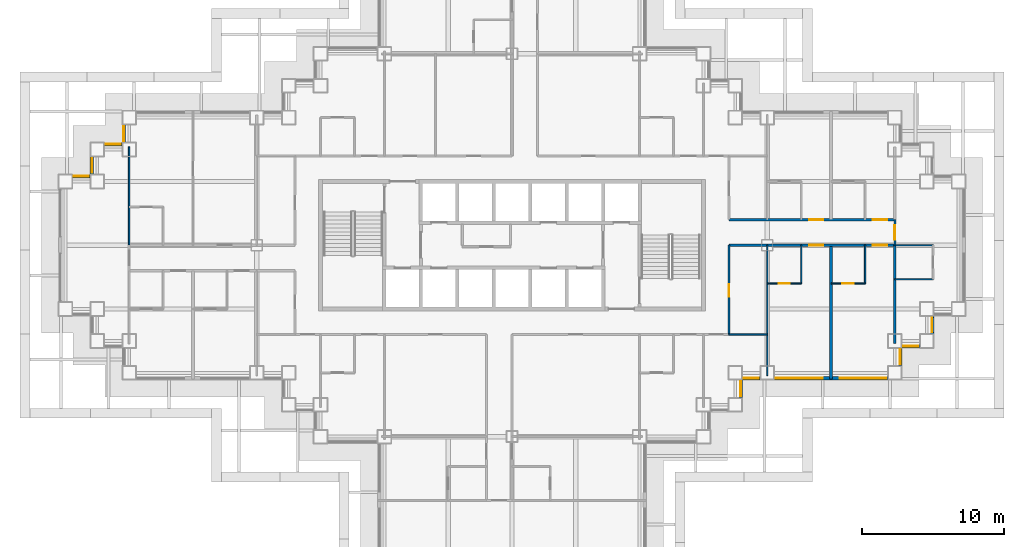
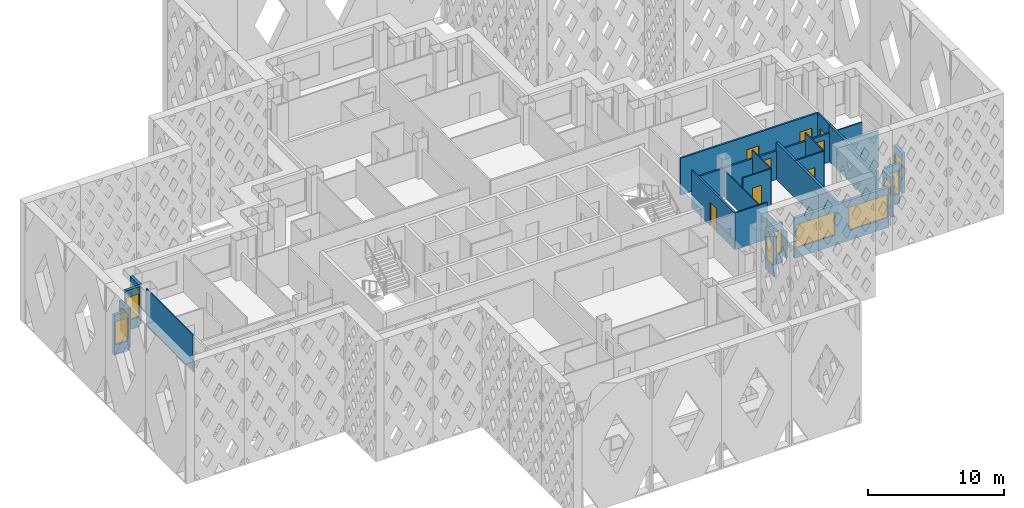
# One storey, part 6 of 19: 25 walls, 11 windows, 8 doors, 19 openings.
"""IFC4 building model written with IfcOpenShell, lengths in metres."""

from ifc_helpers import new_model, si_unit, direction, frame, frame_2d, origin, place, context, subcontext, project, spatial, rectangle, extrude, material, layer, layer_set, type_object, element, fill, save


model = new_model("IFC4")

# Units and contexts
model_context = context("Model", 3, precision=1e-05, world=origin(), true_north=direction((0.0, 1.0)))
body_context = subcontext(model_context, "Body", "Model", "MODEL_VIEW")
ifc_project = project(units=[si_unit("LENGTHUNIT", "METRE"), si_unit("AREAUNIT", "SQUARE_METRE"), si_unit("VOLUMEUNIT", "CUBIC_METRE"), si_unit("PLANEANGLEUNIT", "RADIAN"), si_unit("MASSUNIT", "GRAM", prefix="KILO")], contexts=[model_context])

# Site, building, storey
site_placement = place(None, origin())
site = spatial("IfcSite", under=ifc_project, at=site_placement, CompositionType="ELEMENT")
building_placement = place(site_placement, origin())
building = spatial("IfcBuilding", under=site, at=building_placement, Name="Caravel Reach Hotel and Residences", CompositionType="ELEMENT")
storey_placement = place(building_placement, frame((0.0, 0.0, 74.39990234375)))
storey = spatial("IfcBuildingStorey", under=building, at=storey_placement, Name="L17", CompositionType="ELEMENT", Elevation=74.39990234375)

# Wall, opening, door
ifc_material_1 = material(Name="Gypsum board on steel stud", Category="steel")
ifc_layer_1 = layer(ifc_material_1, 0.10009765625)
ifc_layer_set_1 = layer_set([ifc_layer_1], Name="Bathroom pod wall 100 mm")
wall_type_1 = type_object("IfcWallType", Name="Bathroom pod wall 100 mm", PredefinedType="PARTITIONING", material=ifc_layer_set_1)
wall_1_placement = place(storey_placement, frame((49.5, 24.300048828125, 0.0), z_axis=(0.0, 0.0, 1.0), x_axis=(1.0, 0.0, 0.0)))
wall_1 = element("IfcWall", 1, at=wall_1_placement, inside=storey, type_object=wall_type_1, Name="L17 wall w088", PredefinedType="PARTITIONING", context=body_context, shape_type="SweptSolid", body=[
    extrude(rectangle(XDim=2.39990234375, YDim=0.10009765625, at=frame_2d((1.199951171875, 0.0))), origin(), (0.0, 0.0, 1.0), 3.300048828125),
])
opening_1_placement = place(wall_1_placement, frame((0.800048828125, 0.0, 0.0)))
opening_1 = element("IfcOpeningElement", 2, at=opening_1_placement, cuts=wall_1, Name="Opening D17-023", PredefinedType="OPENING", context=body_context, shape_type="SweptSolid", body=[
    extrude(rectangle(XDim=0.800048828125, YDim=2.10009765625, at=frame_2d((0.39990234375, 1.050048828125))), frame((0.0, 0.06005859375, 0.0), z_axis=(0.0, -1.0, 0.0), x_axis=(1.0, 0.0, 0.0)), (0.0, 0.0, 1.0), 0.1201171875),
])
ifc_material_2 = material(Name="Timber and steel door leaf", Category="steel")
door_type_1 = type_object("IfcDoorType", Name="Bathroom door 800 x 2100", OperationType="SINGLE_SWING_LEFT", PredefinedType="DOOR", material=ifc_material_2)
door_1_placement = place(opening_1_placement, origin())
door_1 = element("IfcDoor", 3, at=door_1_placement, inside=storey, type_object=door_type_1, Name="door D17-023", OperationType="SINGLE_SWING_RIGHT", OverallHeight=2.10009765625, OverallWidth=0.800048828125, PredefinedType="DOOR", context=body_context, shape_type="SweptSolid", body=[
    extrude(rectangle(XDim=0.800048828125, YDim=2.10009765625, at=frame_2d((0.39990234375, 1.050048828125))), frame((0.0, 0.02490234375, 0.0), z_axis=(0.0, -1.0, 0.0), x_axis=(1.0, 0.0, 0.0)), (0.0, 0.0, 1.0), 0.050048828125),
])
fill(opening_1, door_1)

wall_2_placement = place(storey_placement, frame((54.0, 24.300048828125, 0.0), z_axis=(0.0, 0.0, 1.0), x_axis=(1.0, 0.0, 0.0)))
wall_2 = element("IfcWall", 4, at=wall_2_placement, inside=storey, type_object=wall_type_1, Name="L17 wall w089", PredefinedType="PARTITIONING", context=body_context, shape_type="SweptSolid", body=[
    extrude(rectangle(XDim=2.39990234375, YDim=0.10009765625, at=frame_2d((1.199951171875, 0.0))), origin(), (0.0, 0.0, 1.0), 3.300048828125),
])
opening_2_placement = place(wall_2_placement, frame((0.800048828125, 0.0, 0.0)))
opening_2 = element("IfcOpeningElement", 5, at=opening_2_placement, cuts=wall_2, Name="Opening D17-025", PredefinedType="OPENING", context=body_context, shape_type="SweptSolid", body=[
    extrude(rectangle(XDim=0.800048828125, YDim=2.10009765625, at=frame_2d((0.39990234375, 1.050048828125))), frame((0.0, 0.06005859375, 0.0), z_axis=(0.0, -1.0, 0.0), x_axis=(1.0, 0.0, 0.0)), (0.0, 0.0, 1.0), 0.1201171875),
])
door_2_placement = place(opening_2_placement, origin())
door_2 = element("IfcDoor", 6, at=door_2_placement, inside=storey, type_object=door_type_1, Name="door D17-025", OperationType="SINGLE_SWING_LEFT", OverallHeight=2.10009765625, OverallWidth=0.800048828125, PredefinedType="DOOR", context=body_context, shape_type="SweptSolid", body=[
    extrude(rectangle(XDim=0.800048828125, YDim=2.10009765625, at=frame_2d((0.39990234375, 1.050048828125))), frame((0.0, 0.02490234375, 0.0), z_axis=(0.0, -1.0, 0.0), x_axis=(1.0, 0.0, 0.0)), (0.0, 0.0, 1.0), 0.050048828125),
])
fill(opening_2, door_2)

# Walls
wall_3_placement = place(storey_placement, frame((58.5, 24.60009765625, 0.0), z_axis=(0.0, 0.0, 1.0), x_axis=(1.0, 0.0, 0.0)))
element("IfcWall", 7, at=wall_3_placement, inside=storey, type_object=wall_type_1, Name="L17 wall w090", PredefinedType="PARTITIONING", context=body_context, shape_type="SweptSolid", body=[
    extrude(rectangle(XDim=2.699951171875, YDim=0.10009765625, at=frame_2d((1.35009765625, 0.0))), origin(), (0.0, 0.0, 1.0), 3.300048828125),
])
wall_4_placement = place(storey_placement, frame((58.5, 27.0, 0.0), z_axis=(0.0, 0.0, 1.0), x_axis=(1.0, 0.0, 0.0)))
element("IfcWall", 8, at=wall_4_placement, inside=storey, type_object=wall_type_1, Name="L17 wall w091", PredefinedType="PARTITIONING", context=body_context, shape_type="SweptSolid", body=[
    extrude(rectangle(XDim=2.699951171875, YDim=0.10009765625, at=frame_2d((1.35009765625, 0.0))), origin(), (0.0, 0.0, 1.0), 2.580078125),
])
for number, where, z_axis, x_axis, name in (
    (9, (51.89990234375, 24.300048828125, 0.0), (0.0, 0.0, 1.0), (0.0, 1.0, 0.0), "L17 wall w112"),
    (10, (56.39990234375, 24.300048828125, 0.0), (0.0, 0.0, 1.0), (0.0, 1.0, 0.0), "L17 wall w114"),
):
    element("IfcWall", number, at=place(storey_placement, frame(where, z_axis=z_axis, x_axis=x_axis)), inside=storey, type_object=wall_type_1, Name=name, PredefinedType="PARTITIONING", context=body_context, shape_type="SweptSolid", body=[
        extrude(rectangle(XDim=2.699951171875, YDim=0.10009765625, at=frame_2d((1.35009765625, 0.0))), origin(), (0.0, 0.0, 1.0), 3.300048828125),
    ])

# Wall, openings, doors
ifc_material_3 = material(Name="Gypsum board on steel stud, fire-rated", Category="steel")
ifc_layer_2 = layer(ifc_material_3, 0.14990234375)
ifc_layer_set_2 = layer_set([ifc_layer_2], Name="Corridor wall 150 mm EI 60")
wall_type_2 = type_object("IfcWallType", Name="Corridor wall 150 mm EI 60", PredefinedType="PARTITIONING", material=ifc_layer_set_2)
wall_5_placement = place(storey_placement, frame((46.800048828125, 27.0, 0.0), z_axis=(0.0, 0.0, 1.0), x_axis=(1.0, 0.0, 0.0)))
wall_5 = element("IfcWall", 11, at=wall_5_placement, inside=storey, type_object=wall_type_2, Name="L17 wall w012", PredefinedType="PARTITIONING", context=body_context, shape_type="SweptSolid", body=[
    extrude(rectangle(XDim=11.699951171875, YDim=0.14990234375, at=frame_2d((5.85009765625, 0.0))), origin(), (0.0, 0.0, 1.0), 2.580078125),
])
opening_3_placement = place(wall_5_placement, frame((5.64990234375, 0.0, 0.0)))
opening_3 = element("IfcOpeningElement", 12, at=opening_3_placement, cuts=wall_5, Name="Opening D17-022", PredefinedType="OPENING", context=body_context, shape_type="SweptSolid", body=[
    extrude(rectangle(XDim=1.0, YDim=2.10009765625, at=frame_2d((0.5, 1.050048828125))), frame((0.0, 0.0849609375, 0.0), z_axis=(0.0, -1.0, 0.0), x_axis=(1.0, 0.0, 0.0)), (0.0, 0.0, 1.0), 0.169921875),
])
opening_4_placement = place(wall_5_placement, frame((10.14990234375, 0.0, 0.0)))
opening_4 = element("IfcOpeningElement", 13, at=opening_4_placement, cuts=wall_5, Name="Opening D17-024", PredefinedType="OPENING", context=body_context, shape_type="SweptSolid", body=[
    extrude(rectangle(XDim=1.0, YDim=2.10009765625, at=frame_2d((0.5, 1.050048828125))), frame((0.0, 0.0849609375, 0.0), z_axis=(0.0, -1.0, 0.0), x_axis=(1.0, 0.0, 0.0)), (0.0, 0.0, 1.0), 0.169921875),
])
ifc_material_4 = material(Name="Steel fire door leaf", Category="steel")
door_type_2 = type_object("IfcDoorType", Name="Guest room door 1000 x 2100 EI 30", OperationType="SINGLE_SWING_LEFT", PredefinedType="DOOR", material=ifc_material_4)
door_3_placement = place(opening_3_placement, origin())
door_3 = element("IfcDoor", 14, at=door_3_placement, inside=storey, type_object=door_type_2, Name="door D17-022", OperationType="SINGLE_SWING_RIGHT", OverallHeight=2.10009765625, OverallWidth=1.0, PredefinedType="DOOR", context=body_context, shape_type="SweptSolid", body=[
    extrude(rectangle(XDim=1.0, YDim=2.10009765625, at=frame_2d((0.5, 1.050048828125))), frame((0.0, 0.02490234375, 0.0), z_axis=(0.0, -1.0, 0.0), x_axis=(1.0, 0.0, 0.0)), (0.0, 0.0, 1.0), 0.050048828125),
])
fill(opening_3, door_3)
door_4_placement = place(opening_4_placement, origin())
door_4 = element("IfcDoor", 15, at=door_4_placement, inside=storey, type_object=door_type_2, Name="door D17-024", OperationType="SINGLE_SWING_RIGHT", OverallHeight=2.10009765625, OverallWidth=1.0, PredefinedType="DOOR", context=body_context, shape_type="SweptSolid", body=[
    extrude(rectangle(XDim=1.0, YDim=2.10009765625, at=frame_2d((0.5, 1.050048828125))), frame((0.0, 0.02490234375, 0.0), z_axis=(0.0, -1.0, 0.0), x_axis=(1.0, 0.0, 0.0)), (0.0, 0.0, 1.0), 0.050048828125),
])
fill(opening_4, door_4)

wall_6_placement = place(storey_placement, frame((46.800048828125, 28.800048828125, 0.0), z_axis=(0.0, 0.0, 1.0), x_axis=(1.0, 0.0, 0.0)))
wall_6 = element("IfcWall", 16, at=wall_6_placement, inside=storey, type_object=wall_type_2, Name="L17 wall w018", PredefinedType="PARTITIONING", context=body_context, shape_type="SweptSolid", body=[
    extrude(rectangle(XDim=11.699951171875, YDim=0.14990234375, at=frame_2d((5.85009765625, 0.0))), origin(), (0.0, 0.0, 1.0), 3.300048828125),
])
opening_5_placement = place(wall_6_placement, frame((5.64990234375, 0.0, 0.0)))
opening_5 = element("IfcOpeningElement", 17, at=opening_5_placement, cuts=wall_6, Name="Opening D17-026", PredefinedType="OPENING", context=body_context, shape_type="SweptSolid", body=[
    extrude(rectangle(XDim=1.0, YDim=2.10009765625, at=frame_2d((0.5, 1.050048828125))), frame((0.0, 0.0849609375, 0.0), z_axis=(0.0, -1.0, 0.0), x_axis=(1.0, 0.0, 0.0)), (0.0, 0.0, 1.0), 0.169921875),
])
opening_6_placement = place(wall_6_placement, frame((10.14990234375, 0.0, 0.0)))
opening_6 = element("IfcOpeningElement", 18, at=opening_6_placement, cuts=wall_6, Name="Opening D17-028", PredefinedType="OPENING", context=body_context, shape_type="SweptSolid", body=[
    extrude(rectangle(XDim=1.0, YDim=2.10009765625, at=frame_2d((0.5, 1.050048828125))), frame((0.0, 0.0849609375, 0.0), z_axis=(0.0, -1.0, 0.0), x_axis=(1.0, 0.0, 0.0)), (0.0, 0.0, 1.0), 0.169921875),
])
door_5_placement = place(opening_5_placement, origin())
door_5 = element("IfcDoor", 19, at=door_5_placement, inside=storey, type_object=door_type_2, Name="door D17-026", OperationType="SINGLE_SWING_RIGHT", OverallHeight=2.10009765625, OverallWidth=1.0, PredefinedType="DOOR", context=body_context, shape_type="SweptSolid", body=[
    extrude(rectangle(XDim=1.0, YDim=2.10009765625, at=frame_2d((0.5, 1.050048828125))), frame((0.0, 0.02490234375, 0.0), z_axis=(0.0, -1.0, 0.0), x_axis=(1.0, 0.0, 0.0)), (0.0, 0.0, 1.0), 0.050048828125),
])
fill(opening_5, door_5)
door_6_placement = place(opening_6_placement, origin())
door_6 = element("IfcDoor", 20, at=door_6_placement, inside=storey, type_object=door_type_2, Name="door D17-028", OperationType="SINGLE_SWING_RIGHT", OverallHeight=2.10009765625, OverallWidth=1.0, PredefinedType="DOOR", context=body_context, shape_type="SweptSolid", body=[
    extrude(rectangle(XDim=1.0, YDim=2.10009765625, at=frame_2d((0.5, 1.050048828125))), frame((0.0, 0.02490234375, 0.0), z_axis=(0.0, -1.0, 0.0), x_axis=(1.0, 0.0, 0.0)), (0.0, 0.0, 1.0), 0.050048828125),
])
fill(opening_6, door_6)

# Wall, opening, door
wall_7_placement = place(storey_placement, frame((46.800048828125, 20.699951171875, 0.0), z_axis=(0.0, 0.0, 1.0), x_axis=(0.0, 1.0, 0.0)))
wall_7 = element("IfcWall", 21, at=wall_7_placement, inside=storey, type_object=wall_type_2, Name="L17 wall w041", PredefinedType="PARTITIONING", context=body_context, shape_type="SweptSolid", body=[
    extrude(rectangle(XDim=6.300048828125, YDim=0.14990234375, at=frame_2d((3.14990234375, 0.0))), origin(), (0.0, 0.0, 1.0), 3.300048828125),
])
opening_7_placement = place(wall_7_placement, frame((2.64990234375, 0.0, 0.0)))
opening_7 = element("IfcOpeningElement", 22, at=opening_7_placement, cuts=wall_7, Name="Opening D17-064", PredefinedType="OPENING", context=body_context, shape_type="SweptSolid", body=[
    extrude(rectangle(XDim=0.89990234375, YDim=2.10009765625, at=frame_2d((0.449951171875, 1.050048828125))), frame((0.0, 0.0849609375, 0.0), z_axis=(0.0, -1.0, 0.0), x_axis=(1.0, 0.0, 0.0)), (0.0, 0.0, 1.0), 0.169921875),
])
ifc_material_5 = material(Name="Timber and steel door leaf", Category="steel")
door_type_3 = type_object("IfcDoorType", Name="Door 900 x 2100 timber", OperationType="SINGLE_SWING_LEFT", PredefinedType="DOOR", material=ifc_material_5)
door_7_placement = place(opening_7_placement, origin())
door_7 = element("IfcDoor", 23, at=door_7_placement, inside=storey, type_object=door_type_3, Name="door D17-064", OperationType="SINGLE_SWING_RIGHT", OverallHeight=2.10009765625, OverallWidth=0.89990234375, PredefinedType="DOOR", context=body_context, shape_type="SweptSolid", body=[
    extrude(rectangle(XDim=0.89990234375, YDim=2.10009765625, at=frame_2d((0.449951171875, 1.050048828125))), frame((0.0, 0.02490234375, 0.0), z_axis=(0.0, -1.0, 0.0), x_axis=(1.0, 0.0, 0.0)), (0.0, 0.0, 1.0), 0.050048828125),
])
fill(opening_7, door_7)

wall_8_placement = place(storey_placement, frame((58.5, 27.0, 0.0), z_axis=(0.0, 0.0, 1.0), x_axis=(0.0, 1.0, 0.0)))
wall_8 = element("IfcWall", 24, at=wall_8_placement, inside=storey, type_object=wall_type_2, Name="L17 wall w042", PredefinedType="PARTITIONING", context=body_context, shape_type="SweptSolid", body=[
    extrude(rectangle(XDim=1.800048828125, YDim=0.14990234375, at=frame_2d((0.89990234375, 0.0))), origin(), (0.0, 0.0, 1.0), 3.300048828125),
])
opening_8_placement = place(wall_8_placement, frame((0.39990234375, 0.0, 0.0)))
opening_8 = element("IfcOpeningElement", 25, at=opening_8_placement, cuts=wall_8, Name="Opening D17-042", PredefinedType="OPENING", context=body_context, shape_type="SweptSolid", body=[
    extrude(rectangle(XDim=1.0, YDim=2.10009765625, at=frame_2d((0.5, 1.050048828125))), frame((0.0, 0.0849609375, 0.0), z_axis=(0.0, -1.0, 0.0), x_axis=(1.0, 0.0, 0.0)), (0.0, 0.0, 1.0), 0.169921875),
])
door_8_placement = place(opening_8_placement, origin())
door_8 = element("IfcDoor", 26, at=door_8_placement, inside=storey, type_object=door_type_2, Name="door D17-042", OperationType="SINGLE_SWING_RIGHT", OverallHeight=2.10009765625, OverallWidth=1.0, PredefinedType="DOOR", context=body_context, shape_type="SweptSolid", body=[
    extrude(rectangle(XDim=1.0, YDim=2.10009765625, at=frame_2d((0.5, 1.050048828125))), frame((0.0, 0.02490234375, 0.0), z_axis=(0.0, -1.0, 0.0), x_axis=(1.0, 0.0, 0.0)), (0.0, 0.0, 1.0), 0.050048828125),
])
fill(opening_8, door_8)

# Wall, opening, window
ifc_material_6 = material(Name="Insulated rainscreen wall, aluminium cladding", Category="aluminium")
ifc_layer_3 = layer(ifc_material_6, 0.25)
ifc_layer_set_3 = layer_set([ifc_layer_3], Name="EW1 Tower rainscreen wall")
wall_type_3 = type_object("IfcWallType", Name="EW1 Tower rainscreen wall", PredefinedType="SOLIDWALL", material=ifc_layer_set_3)
wall_9_placement = place(storey_placement, frame((47.625, 16.25, 0.0), z_axis=(0.0, 0.0, 1.0), x_axis=(0.0, 1.0, 0.0)))
wall_9 = element("IfcWall", 27, at=wall_9_placement, inside=storey, type_object=wall_type_3, Name="External wall L17 E14.1", PredefinedType="SOLIDWALL", context=body_context, shape_type="SweptSolid", body=[
    extrude(rectangle(XDim=1.25, YDim=0.25, at=frame_2d((0.625, 0.0))), origin(), (0.0, 0.0, 1.0), 3.60009765625),
])
opening_9_placement = place(wall_9_placement, frame((0.10009765625, 0.0, 0.89990234375)))
opening_9 = element("IfcOpeningElement", 28, at=opening_9_placement, cuts=wall_9, Name="Opening WN3", PredefinedType="OPENING", context=body_context, shape_type="SweptSolid", body=[
    extrude(rectangle(XDim=1.050048828125, YDim=2.080078125, at=frame_2d((0.52490234375, 1.0400390625))), frame((0.0, 0.135009765625, 0.0), z_axis=(0.0, -1.0, 0.0), x_axis=(1.0, 0.0, 0.0)), (0.0, 0.0, 1.0), 0.27001953125),
])
ifc_material_7 = material(Name="Dark low-e glazing in black aluminium frame", Category="aluminium")
window_type_1 = type_object("IfcWindowType", Name="Hotel suite corner window 1050 x 2080", PartitioningType="SINGLE_PANEL", PredefinedType="WINDOW", material=ifc_material_7)
window_1_placement = place(opening_9_placement, origin())
window_1 = element("IfcWindow", 29, at=window_1_placement, inside=storey, type_object=window_type_1, Name="Window L17 E14.1.1", OverallHeight=2.080078125, OverallWidth=1.050048828125, PartitioningType="SINGLE_PANEL", PredefinedType="WINDOW", context=body_context, shape_type="SweptSolid", body=[
    extrude(rectangle(XDim=1.050048828125, YDim=2.080078125, at=frame_2d((0.52490234375, 1.0400390625))), frame((0.0, 0.030029296875, 0.0), z_axis=(0.0, -1.0, 0.0), x_axis=(1.0, 0.0, 0.0)), (0.0, 0.0, 1.0), 0.06005859375),
])
fill(opening_9, window_1)

wall_10_placement = place(storey_placement, frame((47.75, 17.625, 0.0), z_axis=(0.0, 0.0, 1.0), x_axis=(1.0, 0.0, 0.0)))
wall_10 = element("IfcWall", 30, at=wall_10_placement, inside=storey, type_object=wall_type_3, Name="External wall L17 S15.1", PredefinedType="SOLIDWALL", context=body_context, shape_type="SweptSolid", body=[
    extrude(rectangle(XDim=1.25, YDim=0.25, at=frame_2d((0.625, 0.0))), origin(), (0.0, 0.0, 1.0), 3.60009765625),
])
opening_10_placement = place(wall_10_placement, frame((0.10009765625, 0.0, 0.89990234375)))
opening_10 = element("IfcOpeningElement", 31, at=opening_10_placement, cuts=wall_10, Name="Opening WN3", PredefinedType="OPENING", context=body_context, shape_type="SweptSolid", body=[
    extrude(rectangle(XDim=1.050048828125, YDim=2.080078125, at=frame_2d((0.52490234375, 1.0400390625))), frame((0.0, 0.135009765625, 0.0), z_axis=(0.0, -1.0, 0.0), x_axis=(1.0, 0.0, 0.0)), (0.0, 0.0, 1.0), 0.27001953125),
])
window_2_placement = place(opening_10_placement, origin())
window_2 = element("IfcWindow", 32, at=window_2_placement, inside=storey, type_object=window_type_1, Name="Window L17 S15.1.1", OverallHeight=2.080078125, OverallWidth=1.050048828125, PartitioningType="SINGLE_PANEL", PredefinedType="WINDOW", context=body_context, shape_type="SweptSolid", body=[
    extrude(rectangle(XDim=1.050048828125, YDim=2.080078125, at=frame_2d((0.52490234375, 1.0400390625))), frame((0.0, 0.030029296875, 0.0), z_axis=(0.0, -1.0, 0.0), x_axis=(1.0, 0.0, 0.0)), (0.0, 0.0, 1.0), 0.06005859375),
])
fill(opening_10, window_2)

# Wall, openings, windows
wall_11_placement = place(storey_placement, frame((50.0, 17.625, 0.0), z_axis=(0.0, 0.0, 1.0), x_axis=(1.0, 0.0, 0.0)))
wall_11 = element("IfcWall", 33, at=wall_11_placement, inside=storey, type_object=wall_type_3, Name="External wall L17 S15.2", PredefinedType="SOLIDWALL", context=body_context, shape_type="SweptSolid", body=[
    extrude(rectangle(XDim=8.0, YDim=0.25, at=frame_2d((4.0, 0.0))), origin(), (0.0, 0.0, 1.0), 3.60009765625),
])
opening_11_placement = place(wall_11_placement, frame((0.10009765625, 0.0, 0.89990234375)))
opening_11 = element("IfcOpeningElement", 34, at=opening_11_placement, cuts=wall_11, Name="Opening WN4", PredefinedType="OPENING", context=body_context, shape_type="SweptSolid", body=[
    extrude(rectangle(XDim=3.300048828125, YDim=2.080078125, at=frame_2d((1.64990234375, 1.0400390625))), frame((0.0, 0.135009765625, 0.0), z_axis=(0.0, -1.0, 0.0), x_axis=(1.0, 0.0, 0.0)), (0.0, 0.0, 1.0), 0.27001953125),
])
opening_12_placement = place(wall_11_placement, frame((4.60009765625, 0.0, 0.89990234375)))
opening_12 = element("IfcOpeningElement", 35, at=opening_12_placement, cuts=wall_11, Name="Opening WN4", PredefinedType="OPENING", context=body_context, shape_type="SweptSolid", body=[
    extrude(rectangle(XDim=3.300048828125, YDim=2.080078125, at=frame_2d((1.64990234375, 1.0400390625))), frame((0.0, 0.135009765625, 0.0), z_axis=(0.0, -1.0, 0.0), x_axis=(1.0, 0.0, 0.0)), (0.0, 0.0, 1.0), 0.27001953125),
])
ifc_material_8 = material(Name="Dark low-e glazing in black aluminium frame", Category="aluminium")
window_type_2 = type_object("IfcWindowType", Name="Hotel guest room window 3300 x 2080", PartitioningType="SINGLE_PANEL", PredefinedType="WINDOW", material=ifc_material_8)
window_3_placement = place(opening_11_placement, origin())
window_3 = element("IfcWindow", 36, at=window_3_placement, inside=storey, type_object=window_type_2, Name="Window L17 S15.2.1", OverallHeight=2.080078125, OverallWidth=3.300048828125, PartitioningType="SINGLE_PANEL", PredefinedType="WINDOW", context=body_context, shape_type="SweptSolid", body=[
    extrude(rectangle(XDim=3.300048828125, YDim=2.080078125, at=frame_2d((1.64990234375, 1.0400390625))), frame((0.0, 0.030029296875, 0.0), z_axis=(0.0, -1.0, 0.0), x_axis=(1.0, 0.0, 0.0)), (0.0, 0.0, 1.0), 0.06005859375),
])
fill(opening_11, window_3)
window_4_placement = place(opening_12_placement, origin())
window_4 = element("IfcWindow", 37, at=window_4_placement, inside=storey, type_object=window_type_2, Name="Window L17 S15.2.2", OverallHeight=2.080078125, OverallWidth=3.300048828125, PartitioningType="SINGLE_PANEL", PredefinedType="WINDOW", context=body_context, shape_type="SweptSolid", body=[
    extrude(rectangle(XDim=3.300048828125, YDim=2.080078125, at=frame_2d((1.64990234375, 1.0400390625))), frame((0.0, 0.030029296875, 0.0), z_axis=(0.0, -1.0, 0.0), x_axis=(1.0, 0.0, 0.0)), (0.0, 0.0, 1.0), 0.06005859375),
])
fill(opening_12, window_4)

# Wall, opening, window
wall_12_placement = place(storey_placement, frame((58.875, 18.5, 0.0), z_axis=(0.0, 0.0, 1.0), x_axis=(0.0, 1.0, 0.0)))
wall_12 = element("IfcWall", 38, at=wall_12_placement, inside=storey, type_object=wall_type_3, Name="External wall L17 E16.1", PredefinedType="SOLIDWALL", context=body_context, shape_type="SweptSolid", body=[
    extrude(rectangle(XDim=1.25, YDim=0.25, at=frame_2d((0.625, 0.0))), origin(), (0.0, 0.0, 1.0), 3.60009765625),
])
opening_13_placement = place(wall_12_placement, frame((0.10009765625, 0.0, 0.89990234375)))
opening_13 = element("IfcOpeningElement", 39, at=opening_13_placement, cuts=wall_12, Name="Opening WN3", PredefinedType="OPENING", context=body_context, shape_type="SweptSolid", body=[
    extrude(rectangle(XDim=1.050048828125, YDim=2.080078125, at=frame_2d((0.52490234375, 1.0400390625))), frame((0.0, 0.135009765625, 0.0), z_axis=(0.0, -1.0, 0.0), x_axis=(1.0, 0.0, 0.0)), (0.0, 0.0, 1.0), 0.27001953125),
])
window_5_placement = place(opening_13_placement, origin())
window_5 = element("IfcWindow", 40, at=window_5_placement, inside=storey, type_object=window_type_1, Name="Window L17 E16.1.1", OverallHeight=2.080078125, OverallWidth=1.050048828125, PartitioningType="SINGLE_PANEL", PredefinedType="WINDOW", context=body_context, shape_type="SweptSolid", body=[
    extrude(rectangle(XDim=1.050048828125, YDim=2.080078125, at=frame_2d((0.52490234375, 1.0400390625))), frame((0.0, 0.030029296875, 0.0), z_axis=(0.0, -1.0, 0.0), x_axis=(1.0, 0.0, 0.0)), (0.0, 0.0, 1.0), 0.06005859375),
])
fill(opening_13, window_5)

wall_13_placement = place(storey_placement, frame((59.0, 19.875, 0.0), z_axis=(0.0, 0.0, 1.0), x_axis=(1.0, 0.0, 0.0)))
wall_13 = element("IfcWall", 41, at=wall_13_placement, inside=storey, type_object=wall_type_3, Name="External wall L17 S17.1", PredefinedType="SOLIDWALL", context=body_context, shape_type="SweptSolid", body=[
    extrude(rectangle(XDim=1.25, YDim=0.25, at=frame_2d((0.625, 0.0))), origin(), (0.0, 0.0, 1.0), 3.60009765625),
])
opening_14_placement = place(wall_13_placement, frame((0.10009765625, 0.0, 0.89990234375)))
opening_14 = element("IfcOpeningElement", 42, at=opening_14_placement, cuts=wall_13, Name="Opening WN3", PredefinedType="OPENING", context=body_context, shape_type="SweptSolid", body=[
    extrude(rectangle(XDim=1.050048828125, YDim=2.080078125, at=frame_2d((0.52490234375, 1.0400390625))), frame((0.0, 0.135009765625, 0.0), z_axis=(0.0, -1.0, 0.0), x_axis=(1.0, 0.0, 0.0)), (0.0, 0.0, 1.0), 0.27001953125),
])
window_6_placement = place(opening_14_placement, origin())
window_6 = element("IfcWindow", 43, at=window_6_placement, inside=storey, type_object=window_type_1, Name="Window L17 S17.1.1", OverallHeight=2.080078125, OverallWidth=1.050048828125, PartitioningType="SINGLE_PANEL", PredefinedType="WINDOW", context=body_context, shape_type="SweptSolid", body=[
    extrude(rectangle(XDim=1.050048828125, YDim=2.080078125, at=frame_2d((0.52490234375, 1.0400390625))), frame((0.0, 0.030029296875, 0.0), z_axis=(0.0, -1.0, 0.0), x_axis=(1.0, 0.0, 0.0)), (0.0, 0.0, 1.0), 0.06005859375),
])
fill(opening_14, window_6)

wall_14_placement = place(storey_placement, frame((61.125, 20.75, 0.0), z_axis=(0.0, 0.0, 1.0), x_axis=(0.0, 1.0, 0.0)))
wall_14 = element("IfcWall", 44, at=wall_14_placement, inside=storey, type_object=wall_type_3, Name="External wall L17 E18.1", PredefinedType="SOLIDWALL", context=body_context, shape_type="SweptSolid", body=[
    extrude(rectangle(XDim=1.25, YDim=0.25, at=frame_2d((0.625, 0.0))), origin(), (0.0, 0.0, 1.0), 3.60009765625),
])
opening_15_placement = place(wall_14_placement, frame((0.10009765625, 0.0, 0.89990234375)))
opening_15 = element("IfcOpeningElement", 45, at=opening_15_placement, cuts=wall_14, Name="Opening WN3", PredefinedType="OPENING", context=body_context, shape_type="SweptSolid", body=[
    extrude(rectangle(XDim=1.050048828125, YDim=2.080078125, at=frame_2d((0.52490234375, 1.0400390625))), frame((0.0, 0.135009765625, 0.0), z_axis=(0.0, -1.0, 0.0), x_axis=(1.0, 0.0, 0.0)), (0.0, 0.0, 1.0), 0.27001953125),
])
window_7_placement = place(opening_15_placement, origin())
window_7 = element("IfcWindow", 46, at=window_7_placement, inside=storey, type_object=window_type_1, Name="Window L17 E18.1.1", OverallHeight=2.080078125, OverallWidth=1.050048828125, PartitioningType="SINGLE_PANEL", PredefinedType="WINDOW", context=body_context, shape_type="SweptSolid", body=[
    extrude(rectangle(XDim=1.050048828125, YDim=2.080078125, at=frame_2d((0.52490234375, 1.0400390625))), frame((0.0, 0.030029296875, 0.0), z_axis=(0.0, -1.0, 0.0), x_axis=(1.0, 0.0, 0.0)), (0.0, 0.0, 1.0), 0.06005859375),
])
fill(opening_15, window_7)

wall_15_placement = place(storey_placement, frame((4.125, 35.5, 0.0), z_axis=(0.0, 0.0, 1.0), x_axis=(0.0, -1.0, 0.0)))
wall_15 = element("IfcWall", 47, at=wall_15_placement, inside=storey, type_object=wall_type_3, Name="External wall L17 W46.1", PredefinedType="SOLIDWALL", context=body_context, shape_type="SweptSolid", body=[
    extrude(rectangle(XDim=1.25, YDim=0.25, at=frame_2d((0.625, 0.0))), origin(), (0.0, 0.0, 1.0), 3.60009765625),
])
opening_16_placement = place(wall_15_placement, frame((0.10009765625, 0.0, 0.89990234375)))
opening_16 = element("IfcOpeningElement", 48, at=opening_16_placement, cuts=wall_15, Name="Opening WN3", PredefinedType="OPENING", context=body_context, shape_type="SweptSolid", body=[
    extrude(rectangle(XDim=1.050048828125, YDim=2.080078125, at=frame_2d((0.52490234375, 1.0400390625))), frame((0.0, 0.135009765625, 0.0), z_axis=(0.0, -1.0, 0.0), x_axis=(1.0, 0.0, 0.0)), (0.0, 0.0, 1.0), 0.27001953125),
])
window_8_placement = place(opening_16_placement, origin())
window_8 = element("IfcWindow", 49, at=window_8_placement, inside=storey, type_object=window_type_1, Name="Window L17 W46.1.1", OverallHeight=2.080078125, OverallWidth=1.050048828125, PartitioningType="SINGLE_PANEL", PredefinedType="WINDOW", context=body_context, shape_type="SweptSolid", body=[
    extrude(rectangle(XDim=1.050048828125, YDim=2.080078125, at=frame_2d((0.52490234375, 1.0400390625))), frame((0.0, 0.030029296875, 0.0), z_axis=(0.0, -1.0, 0.0), x_axis=(1.0, 0.0, 0.0)), (0.0, 0.0, 1.0), 0.06005859375),
])
fill(opening_16, window_8)

wall_16_placement = place(storey_placement, frame((4.0, 34.125, 0.0), z_axis=(0.0, 0.0, 1.0), x_axis=(-1.0, 0.0, 0.0)))
wall_16 = element("IfcWall", 50, at=wall_16_placement, inside=storey, type_object=wall_type_3, Name="External wall L17 N47.1", PredefinedType="SOLIDWALL", context=body_context, shape_type="SweptSolid", body=[
    extrude(rectangle(XDim=1.25, YDim=0.25, at=frame_2d((0.625, 0.0))), origin(), (0.0, 0.0, 1.0), 3.60009765625),
])
opening_17_placement = place(wall_16_placement, frame((0.10009765625, 0.0, 0.89990234375)))
opening_17 = element("IfcOpeningElement", 51, at=opening_17_placement, cuts=wall_16, Name="Opening WN3", PredefinedType="OPENING", context=body_context, shape_type="SweptSolid", body=[
    extrude(rectangle(XDim=1.050048828125, YDim=2.080078125, at=frame_2d((0.52490234375, 1.0400390625))), frame((0.0, 0.135009765625, 0.0), z_axis=(0.0, -1.0, 0.0), x_axis=(1.0, 0.0, 0.0)), (0.0, 0.0, 1.0), 0.27001953125),
])
window_9_placement = place(opening_17_placement, origin())
window_9 = element("IfcWindow", 52, at=window_9_placement, inside=storey, type_object=window_type_1, Name="Window L17 N47.1.1", OverallHeight=2.080078125, OverallWidth=1.050048828125, PartitioningType="SINGLE_PANEL", PredefinedType="WINDOW", context=body_context, shape_type="SweptSolid", body=[
    extrude(rectangle(XDim=1.050048828125, YDim=2.080078125, at=frame_2d((0.52490234375, 1.0400390625))), frame((0.0, 0.030029296875, 0.0), z_axis=(0.0, -1.0, 0.0), x_axis=(1.0, 0.0, 0.0)), (0.0, 0.0, 1.0), 0.06005859375),
])
fill(opening_17, window_9)

wall_17_placement = place(storey_placement, frame((1.875, 33.25, 0.0), z_axis=(0.0, 0.0, 1.0), x_axis=(0.0, -1.0, 0.0)))
wall_17 = element("IfcWall", 53, at=wall_17_placement, inside=storey, type_object=wall_type_3, Name="External wall L17 W48.1", PredefinedType="SOLIDWALL", context=body_context, shape_type="SweptSolid", body=[
    extrude(rectangle(XDim=1.25, YDim=0.25, at=frame_2d((0.625, 0.0))), origin(), (0.0, 0.0, 1.0), 3.60009765625),
])
opening_18_placement = place(wall_17_placement, frame((0.10009765625, 0.0, 0.89990234375)))
opening_18 = element("IfcOpeningElement", 54, at=opening_18_placement, cuts=wall_17, Name="Opening WN3", PredefinedType="OPENING", context=body_context, shape_type="SweptSolid", body=[
    extrude(rectangle(XDim=1.050048828125, YDim=2.080078125, at=frame_2d((0.52490234375, 1.0400390625))), frame((0.0, 0.135009765625, 0.0), z_axis=(0.0, -1.0, 0.0), x_axis=(1.0, 0.0, 0.0)), (0.0, 0.0, 1.0), 0.27001953125),
])
window_10_placement = place(opening_18_placement, origin())
window_10 = element("IfcWindow", 55, at=window_10_placement, inside=storey, type_object=window_type_1, Name="Window L17 W48.1.1", OverallHeight=2.080078125, OverallWidth=1.050048828125, PartitioningType="SINGLE_PANEL", PredefinedType="WINDOW", context=body_context, shape_type="SweptSolid", body=[
    extrude(rectangle(XDim=1.050048828125, YDim=2.080078125, at=frame_2d((0.52490234375, 1.0400390625))), frame((0.0, 0.030029296875, 0.0), z_axis=(0.0, -1.0, 0.0), x_axis=(1.0, 0.0, 0.0)), (0.0, 0.0, 1.0), 0.06005859375),
])
fill(opening_18, window_10)

wall_18_placement = place(storey_placement, frame((1.75, 31.875, 0.0), z_axis=(0.0, 0.0, 1.0), x_axis=(-1.0, 0.0, 0.0)))
wall_18 = element("IfcWall", 56, at=wall_18_placement, inside=storey, type_object=wall_type_3, Name="External wall L17 N49.1", PredefinedType="SOLIDWALL", context=body_context, shape_type="SweptSolid", body=[
    extrude(rectangle(XDim=1.25, YDim=0.25, at=frame_2d((0.625, 0.0))), origin(), (0.0, 0.0, 1.0), 3.60009765625),
])
opening_19_placement = place(wall_18_placement, frame((0.10009765625, 0.0, 0.89990234375)))
opening_19 = element("IfcOpeningElement", 57, at=opening_19_placement, cuts=wall_18, Name="Opening WN3", PredefinedType="OPENING", context=body_context, shape_type="SweptSolid", body=[
    extrude(rectangle(XDim=1.050048828125, YDim=2.080078125, at=frame_2d((0.52490234375, 1.0400390625))), frame((0.0, 0.135009765625, 0.0), z_axis=(0.0, -1.0, 0.0), x_axis=(1.0, 0.0, 0.0)), (0.0, 0.0, 1.0), 0.27001953125),
])
window_11_placement = place(opening_19_placement, origin())
window_11 = element("IfcWindow", 58, at=window_11_placement, inside=storey, type_object=window_type_1, Name="Window L17 N49.1.1", OverallHeight=2.080078125, OverallWidth=1.050048828125, PartitioningType="SINGLE_PANEL", PredefinedType="WINDOW", context=body_context, shape_type="SweptSolid", body=[
    extrude(rectangle(XDim=1.050048828125, YDim=2.080078125, at=frame_2d((0.52490234375, 1.0400390625))), frame((0.0, 0.030029296875, 0.0), z_axis=(0.0, -1.0, 0.0), x_axis=(1.0, 0.0, 0.0)), (0.0, 0.0, 1.0), 0.06005859375),
])
fill(opening_19, window_11)

# Walls
ifc_material_9 = material(Name="Gypsum board on steel stud", Category="steel")
ifc_layer_4 = layer(ifc_material_9, 0.10009765625)
ifc_layer_set_4 = layer_set([ifc_layer_4], Name="Partition 100 mm")
wall_type_4 = type_object("IfcWallType", Name="Partition 100 mm", PredefinedType="PARTITIONING", material=ifc_layer_set_4)
wall_19_placement = place(storey_placement, frame((46.800048828125, 20.699951171875, 0.0), z_axis=(0.0, 0.0, 1.0), x_axis=(1.0, 0.0, 0.0)))
element("IfcWall", 59, at=wall_19_placement, inside=storey, type_object=wall_type_4, Name="L17 wall w046", PredefinedType="PARTITIONING", context=body_context, shape_type="SweptSolid", body=[
    extrude(rectangle(XDim=2.699951171875, YDim=0.10009765625, at=frame_2d((1.35009765625, 0.0))), origin(), (0.0, 0.0, 1.0), 3.300048828125),
])
wall_20_placement = place(storey_placement, frame((4.5, 27.0, 0.0), z_axis=(0.0, 0.0, 1.0), x_axis=(0.0, 1.0, 0.0)))
element("IfcWall", 60, at=wall_20_placement, inside=storey, type_object=wall_type_4, Name="L17 wall w065", PredefinedType="PARTITIONING", context=body_context, shape_type="SweptSolid", body=[
    extrude(rectangle(XDim=6.93994140625, YDim=0.10009765625, at=frame_2d((3.469970703125, 0.0))), origin(), (0.0, 0.0, 1.0), 3.300048828125),
])
wall_21_placement = place(storey_placement, frame((49.5, 17.81005859375, 0.0), z_axis=(0.0, 0.0, 1.0), x_axis=(0.0, 1.0, 0.0)))
element("IfcWall", 61, at=wall_21_placement, inside=storey, type_object=wall_type_4, Name="L17 wall w073", PredefinedType="PARTITIONING", context=body_context, shape_type="SweptSolid", body=[
    extrude(rectangle(XDim=9.18994140625, YDim=0.10009765625, at=frame_2d((4.594970703125, 0.0))), origin(), (0.0, 0.0, 1.0), 2.380126953125),
])
ifc_material_10 = material(Name="Autoclaved aerated block wall")
ifc_layer_5 = layer(ifc_material_10, 0.199951171875)
ifc_layer_set_5 = layer_set([ifc_layer_5], Name="Party wall 200 mm EI 60")
wall_type_5 = type_object("IfcWallType", Name="Party wall 200 mm EI 60", PredefinedType="PARTITIONING", material=ifc_layer_set_5)
wall_22_placement = place(storey_placement, frame((54.0, 17.56005859375, 0.0), z_axis=(0.0, 0.0, 1.0), x_axis=(0.0, 1.0, 0.0)))
element("IfcWall", 62, at=wall_22_placement, inside=storey, type_object=wall_type_5, Name="L17 wall w078", PredefinedType="PARTITIONING", context=body_context, shape_type="SweptSolid", body=[
    extrude(rectangle(XDim=9.43994140625, YDim=0.199951171875, at=frame_2d((4.719970703125, 0.0))), origin(), (0.0, 0.0, 1.0), 3.300048828125),
])
wall_23_placement = place(storey_placement, frame((58.5, 20.06005859375, 0.0), z_axis=(0.0, 0.0, 1.0), x_axis=(0.0, 1.0, 0.0)))
element("IfcWall", 63, at=wall_23_placement, inside=storey, type_object=wall_type_5, Name="L17 wall w080", PredefinedType="PARTITIONING", context=body_context, shape_type="SweptSolid", body=[
    extrude(rectangle(XDim=6.93994140625, YDim=0.199951171875, at=frame_2d((3.469970703125, 0.0))), origin(), (0.0, 0.0, 1.0), 3.300048828125),
])

save(model, "model.ifc")
